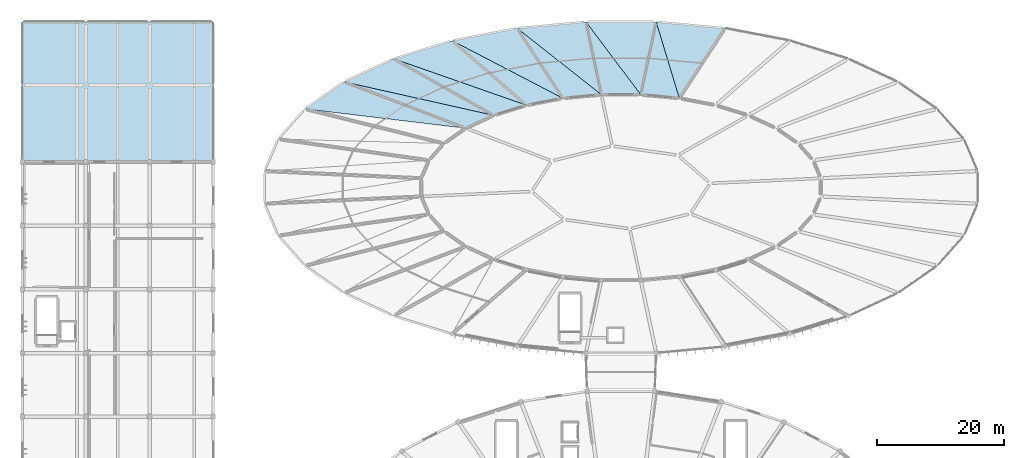
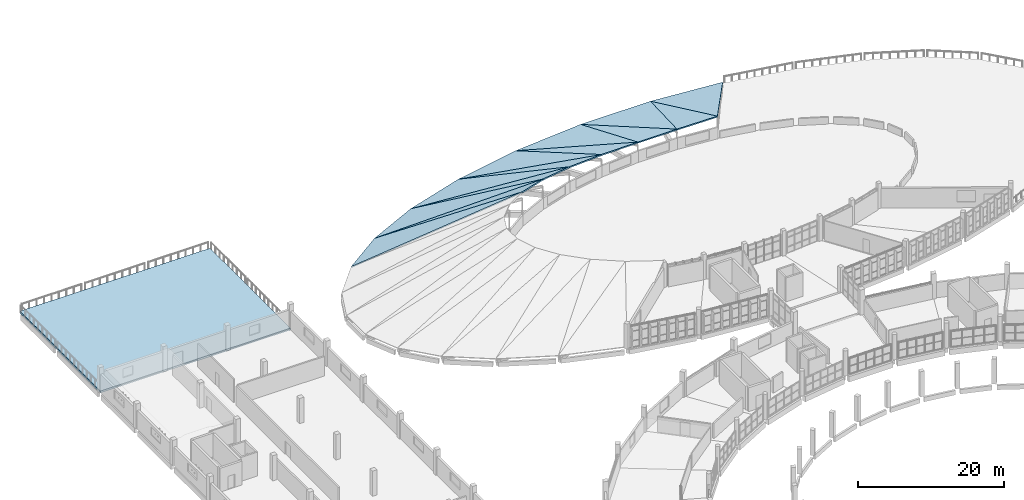
# One storey, part 92 of 142: 14 slabs.
"""IFC4 building model written with IfcOpenShell, lengths in metres."""

from ifc_helpers import new_model, si_unit, direction, frame, origin, place, context, subcontext, project, spatial, polyline, outline, extrude, material, layer, layer_set, type_object, element, save


model = new_model("IFC4")

# Units and contexts
model_context = context("Model", 3, precision=1e-05, world=origin(), true_north=direction((0.0, 1.0)))
body_context = subcontext(model_context, "Body", "Model", "MODEL_VIEW")
ifc_project = project(units=[si_unit("LENGTHUNIT", "METRE"), si_unit("AREAUNIT", "SQUARE_METRE"), si_unit("VOLUMEUNIT", "CUBIC_METRE"), si_unit("PLANEANGLEUNIT", "RADIAN"), si_unit("MASSUNIT", "GRAM", prefix="KILO")], contexts=[model_context])

# Site, building, storey
site_placement = place(None, origin())
site = spatial("IfcSite", under=ifc_project, at=site_placement, CompositionType="ELEMENT")
building_placement = place(site_placement, origin())
building = spatial("IfcBuilding", under=site, at=building_placement, Name="Corvandel Quay Wholesale Market", CompositionType="ELEMENT")
storey_placement = place(building_placement, frame((0.0, 0.0, 10.800048828125)))
storey = spatial("IfcBuildingStorey", under=building, at=storey_placement, Name="L02", CompositionType="ELEMENT", Elevation=10.800048828125)

# Slabs
ifc_material = material(Name="Concrete C40/50", Category="concrete")
ifc_layer_1 = layer(ifc_material, 0.320068359375)
ifc_layer_set_1 = layer_set([ifc_layer_1], Name="Concrete C40/50")
slab_type_1 = type_object("IfcSlabType", Name="Planted Roof Garden Terrace Slab 320", PredefinedType="FLOOR", material=ifc_layer_set_1)
slab_1_placement = place(storey_placement, frame((0.0, 0.0, -0.320068359375)))
element("IfcSlab", 1, at=slab_1_placement, inside=storey, type_object=slab_type_1, Name="Slab SLB-0458", PredefinedType="FLOOR", context=body_context, shape_type="SweptSolid", body=[
    extrude(outline(polyline([(20.0, 120.0), (50.0, 120.0), (50.0, 142.0), (20.0, 142.0), (20.0, 120.0)])), origin(), (0.0, 0.0, 1.0), 0.320068359375),
])
ifc_layer_2 = layer(ifc_material, 0.179931640625)
ifc_layer_set_2 = layer_set([ifc_layer_2], Name="Concrete C40/50")
slab_type_2 = type_object("IfcSlabType", Name="Sawtooth Clerestory Roof Slab 180", PredefinedType="ROOF", material=ifc_layer_set_2)
slab_2_placement = place(storey_placement, frame((130.3349609375, 141.0009765625, 0.179931640625), z_axis=(0.026674500065, 0.288869451582, 0.956996818693), x_axis=(-0.995763640904, 0.091949831173, 0.0)))
element("IfcSlab", 2, at=slab_2_placement, inside=storey, type_object=slab_type_2, Name="Sloped Roof SLB-0238", PredefinedType="ROOF", context=body_context, shape_type="SweptSolid", body=[
    extrude(outline(polyline([(0.0, 0.0), (10.86487516899391, -1.1102230246251565e-16), (6.145999444060965, 12.137247018408527), (0.0, 0.0)])), origin(), (0.0, 0.0, -1.0), 0.179931640625),
])
slab_3_placement = place(storey_placement, frame((119.51611328125, 142.0, 0.179931640625), z_axis=(-0.036365557427, 0.271213997714, 0.96183185312), x_axis=(-0.200459070726, -0.944885940658, 0.258856562812)))
element("IfcSlab", 3, at=slab_3_placement, inside=storey, type_object=slab_type_2, Name="Sloped Roof SLB-0239", PredefinedType="ROOF", context=body_context, shape_type="SweptSolid", body=[
    extrude(outline(polyline([(0.0, 0.0), (12.107219415588194, -3.3306690738754696e-16), (11.522225538146936, 6.067855629569866), (0.0, 0.0)])), origin(), (0.0, 0.0, -1.0), 0.179931640625),
])
slab_4_placement = place(storey_placement, frame((119.51611328125, 142.0, 0.179931640625), z_axis=(0.0, 0.26421967322, 0.964462526117), x_axis=(-1.0, 0.0, 0.0)))
element("IfcSlab", 4, at=slab_4_placement, inside=storey, type_object=slab_type_2, Name="Sloped Roof SLB-0244", PredefinedType="ROOF", context=body_context, shape_type="SweptSolid", body=[
    extrude(outline(polyline([(0.0, 0.0), (11.0322265625, 0.0), (2.427001953125, 11.861468016089878), (0.0, 0.0)])), origin(), (0.0, 0.0, -1.0), 0.179931640625),
])
slab_5_placement = place(storey_placement, frame((108.48388671875, 142.0, 0.179931640625), z_axis=(0.0, 0.26421967322, 0.964462526117), x_axis=(0.200459070726, -0.944885940658, 0.258856562812)))
element("IfcSlab", 5, at=slab_5_placement, inside=storey, type_object=slab_type_2, Name="Sloped Roof SLB-0245", PredefinedType="ROOF", context=body_context, shape_type="SweptSolid", body=[
    extrude(outline(polyline([(0.0, 0.0), (12.107219415588194, 4.440892098500626e-16), (13.345700187998595, 6.0528175725500395), (0.0, 0.0)])), origin(), (0.0, 0.0, -1.0), 0.179931640625),
])
slab_6_placement = place(storey_placement, frame((108.48388671875, 142.0, 0.179931640625), z_axis=(-0.023954505361, 0.259413477653, 0.965469227518), x_axis=(-0.995763640904, -0.091949831173, 0.0)))
element("IfcSlab", 6, at=slab_6_placement, inside=storey, type_object=slab_type_2, Name="Sloped Roof SLB-0250", PredefinedType="ROOF", context=body_context, shape_type="SweptSolid", body=[
    extrude(outline(polyline([(0.0, 0.0), (10.86487516899391, 1.1102230246251565e-16), (-1.3648196203972816, 12.030046940098545), (0.0, 0.0)])), origin(), (0.0, 0.0, -1.0), 0.179931640625),
])
slab_7_placement = place(storey_placement, frame((97.6650390625, 141.0009765625, 0.179931640625), z_axis=(0.030587839249, 0.322760363485, 0.945986327519), x_axis=(0.528348511572, -0.808619792522, 0.258808580731)))
element("IfcSlab", 7, at=slab_7_placement, inside=storey, type_object=slab_type_2, Name="Sloped Roof SLB-0251", PredefinedType="ROOF", context=body_context, shape_type="SweptSolid", body=[
    extrude(outline(polyline([(0.0, 0.0), (13.604634296895467, -5.551115123125783e-16), (16.252272532524664, 5.491001871351054), (0.0, 0.0)])), origin(), (0.0, 0.0, -1.0), 0.179931640625),
])
slab_8_placement = place(storey_placement, frame((97.6650390625, 141.0009765625, 0.179931640625), z_axis=(-0.052526459715, 0.273114036052, 0.960546560215), x_axis=(-0.982003426457, -0.188863099698, 0.0)))
element("IfcSlab", 8, at=slab_8_placement, inside=storey, type_object=slab_type_2, Name="Sloped Roof SLB-0256", PredefinedType="ROOF", context=body_context, shape_type="SweptSolid", body=[
    extrude(outline(polyline([(0.0, 0.0), (10.377680661993677, -2.220446049250313e-16), (-4.980950588218583, 12.660023917433543), (0.0, 0.0)])), origin(), (0.0, 0.0, -1.0), 0.179931640625),
])
slab_9_placement = place(storey_placement, frame((87.47412109375, 139.041015625, 0.179931640625), z_axis=(0.022723744235, 0.400431203313, 0.916045022289), x_axis=(0.729225239424, -0.633442349324, 0.258807535187)))
element("IfcSlab", 9, at=slab_9_placement, inside=storey, type_object=slab_type_2, Name="Sloped Roof SLB-0257", PredefinedType="ROOF", context=body_context, shape_type="SweptSolid", body=[
    extrude(outline(polyline([(0.0, 0.0), (16.00451795485779, 8.881784197001252e-16), (19.311359569288744, 4.820285370766569), (0.0, 0.0)])), origin(), (0.0, 0.0, -1.0), 0.179931640625),
])
slab_10_placement = place(storey_placement, frame((87.47412109375, 139.041015625, 0.179931640625), z_axis=(-0.089064106198, 0.28714059948, 0.953738885187), x_axis=(-0.955109787283, -0.296252078874, 0.0)))
element("IfcSlab", 10, at=slab_10_placement, inside=storey, type_object=slab_type_2, Name="Sloped Roof SLB-0262", PredefinedType="ROOF", context=body_context, shape_type="SweptSolid", body=[
    extrude(outline(polyline([(0.0, 0.0), (9.60320924646855, 0.0), (-8.143603685554094, 13.777747057483491), (0.0, 0.0)])), origin(), (0.0, 0.0, -1.0), 0.179931640625),
])
slab_11_placement = place(storey_placement, frame((78.302001953125, 136.196044921875, 0.179931640625), z_axis=(-0.019469122038, 0.451118311105, 0.892251770899), x_axis=(0.840687500644, -0.475656952732, 0.258833903456)))
element("IfcSlab", 11, at=slab_11_placement, inside=storey, type_object=slab_type_2, Name="Sloped Roof SLB-0263", PredefinedType="ROOF", context=body_context, shape_type="SweptSolid", body=[
    extrude(outline(polyline([(0.0, 0.0), (18.68355511169458, -4.440892098500626e-16), (22.063528928355964, 4.23985547534357), (0.0, 0.0)])), origin(), (0.0, 0.0, -1.0), 0.179931640625),
])
slab_12_placement = place(storey_placement, frame((78.302001953125, 136.196044921875, 0.179931640625), z_axis=(-0.131812616033, 0.283855572233, 0.949763890852), x_axis=(-0.906981471054, -0.421170525042, 0.0)))
element("IfcSlab", 12, at=slab_12_placement, inside=storey, type_object=slab_type_2, Name="Sloped Roof SLB-0268", PredefinedType="ROOF", context=body_context, shape_type="SweptSolid", body=[
    extrude(outline(polyline([(0.0, 0.0), (8.600009015682952, 0.0), (-10.50305948234988, 15.451892218170208), (0.0, 0.0)])), origin(), (0.0, 0.0, -1.0), 0.179931640625),
])
slab_13_placement = place(storey_placement, frame((70.501953125, 132.573974609375, 0.179931640625), z_axis=(-0.079906895657, 0.456945728238, 0.885898125899), x_axis=(0.902616473435, -0.343941619186, 0.258819752868)))
element("IfcSlab", 13, at=slab_13_placement, inside=storey, type_object=slab_type_2, Name="Sloped Roof SLB-0269", PredefinedType="ROOF", context=body_context, shape_type="SweptSolid", body=[
    extrude(outline(polyline([(0.0, 0.0), (21.204089133677524, 8.881784197001252e-16), (24.280329547677553, 3.7621531359926883), (0.0, 0.0)])), origin(), (0.0, 0.0, -1.0), 0.179931640625),
])
slab_14_placement = place(storey_placement, frame((70.501953125, 132.573974609375, 0.179931640625), z_axis=(-0.176134475758, 0.253522153514, 0.951158853256), x_axis=(-0.821252443481, -0.570565004252, 0.0)))
element("IfcSlab", 14, at=slab_14_placement, inside=storey, type_object=slab_type_2, Name="Sloped Roof SLB-0274", PredefinedType="ROOF", context=body_context, shape_type="SweptSolid", body=[
    extrude(outline(polyline([(0.0, 0.0), (7.462877338939702, 0.0), (-11.556969298632119, 17.777791106304967), (0.0, 0.0)])), origin(), (0.0, 0.0, -1.0), 0.179931640625),
])

save(model, "model.ifc")
